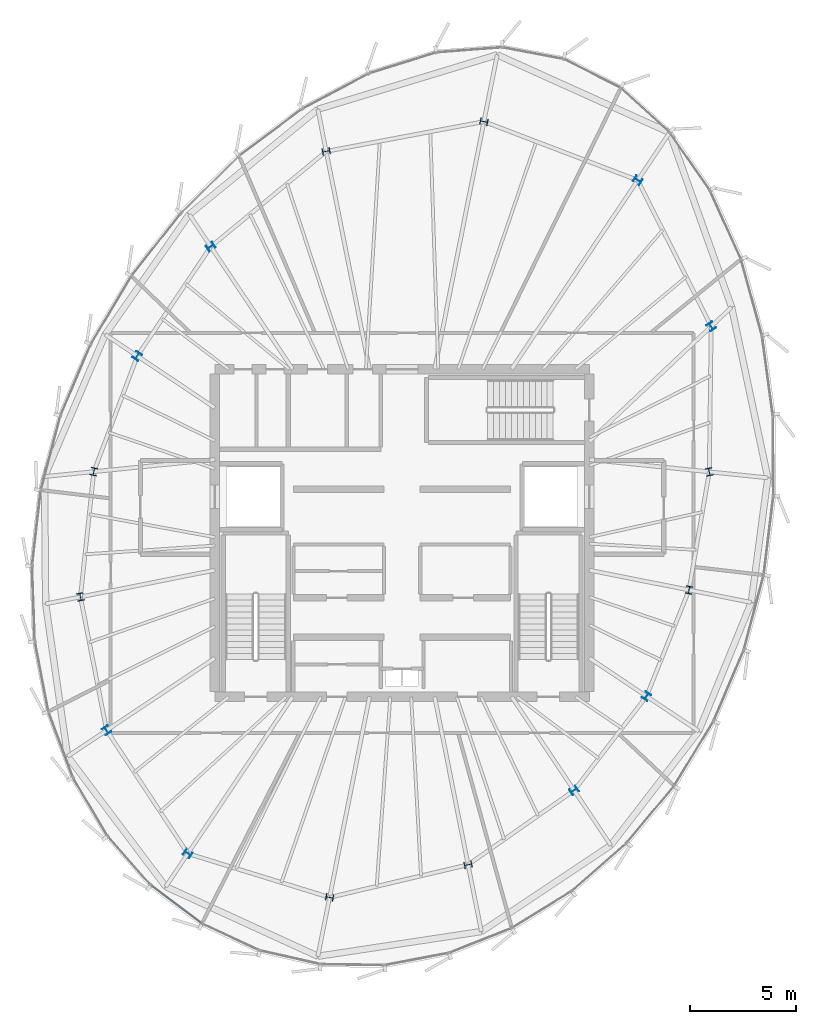
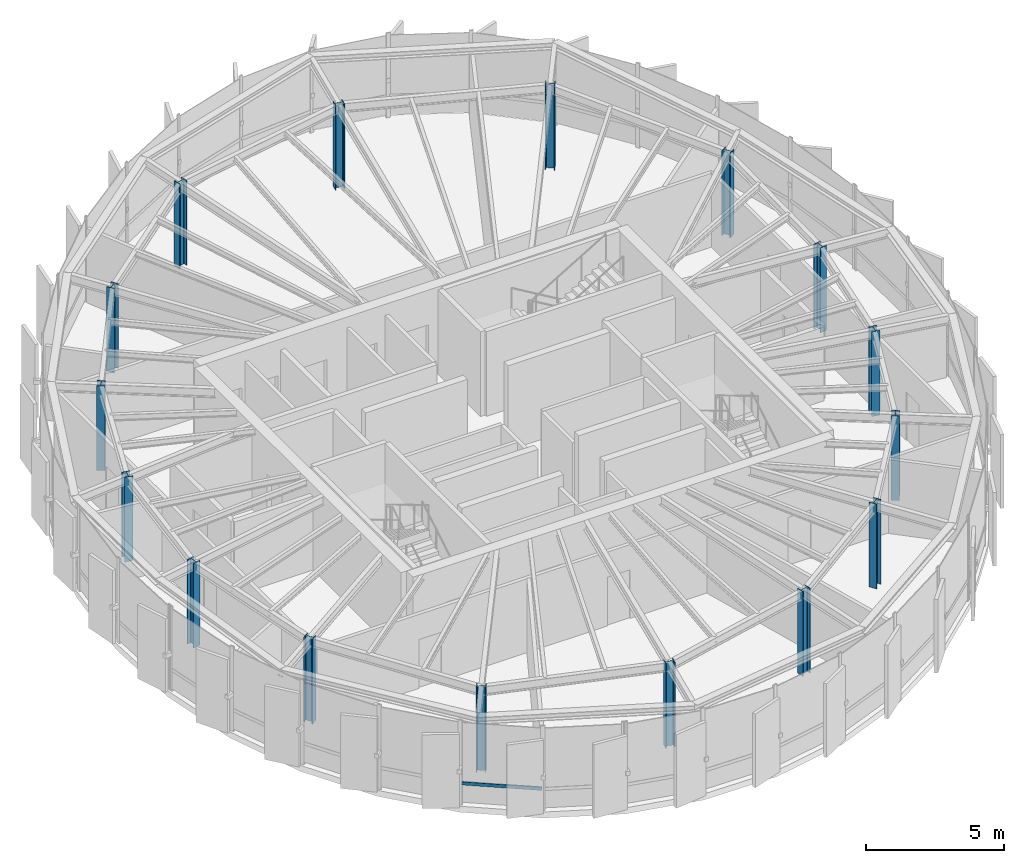
# One storey, part 1 of 26: 16 columns, 1 member, 1 element without a shape of its own.
"""IFC4 building model written with IfcOpenShell, lengths in metres."""

from ifc_helpers import new_model, si_unit, direction, frame, origin, origin_2d, place, context, subcontext, project, spatial, hollow_rectangle, i_section, extrude, source, transform, mapped, material, layer, layer_set, material_profile, profile_set, type_object, element, aggregate, save


model = new_model("IFC4")

# Units and contexts
model_context = context("Model", 3, precision=1e-05, world=origin(), true_north=direction((0.0, 1.0)))
body_context = subcontext(model_context, "Body", "Model", "MODEL_VIEW")
ifc_project = project(units=[si_unit("LENGTHUNIT", "METRE"), si_unit("AREAUNIT", "SQUARE_METRE"), si_unit("VOLUMEUNIT", "CUBIC_METRE"), si_unit("PLANEANGLEUNIT", "RADIAN"), si_unit("MASSUNIT", "GRAM", prefix="KILO"), si_unit("THERMODYNAMICTEMPERATUREUNIT", "KELVIN")], contexts=[model_context])

# Site, building, storey
site_placement = place(None, origin())
site = spatial("IfcSite", under=ifc_project, at=site_placement, CompositionType="ELEMENT")
building_placement = place(site_placement, origin())
building = spatial("IfcBuilding", under=site, at=building_placement, Name="Kethvar Cultural Tower", CompositionType="ELEMENT")
storey_placement = place(building_placement, frame((0.0, 0.0, 320.300048828125)))
storey = spatial("IfcBuildingStorey", under=building, at=storey_placement, Name="L85", CompositionType="ELEMENT", Elevation=320.300048828125)

# Columns
ifc_material_1 = material(Name="Steel S355J2", Category="steel")
ifc_material_profile_1 = material_profile(ifc_material_1, i_section(OverallWidth=0.30908203125, OverallDepth=0.35888671875, WebThickness=0.01611328125, FlangeThickness=0.02587890625, FilletRadius=0.027099609375, at=origin_2d()), Name="Steel S355J2 — HD320x245")
ifc_profile_set_1 = profile_set([ifc_material_profile_1], Name="Steel S355J2 — HD320x245")
column_type = type_object("IfcColumnType", Name="COL-HD245", PredefinedType="COLUMN", material=ifc_profile_set_1)
shared_shape_1 = source(origin(), body_context, "Body", "SweptSolid", [
    extrude(i_section(OverallWidth=0.30908203125, OverallDepth=0.35888671875, WebThickness=0.01611328125, FlangeThickness=0.02587890625, FilletRadius=0.027099609375, at=origin_2d()), origin(), (0.0, 0.0, 1.0), 3.73486328125),
])
for number, where, z_axis, x_axis, name in (
    (1, (61.237060546875, 30.671630859375, 0.0), (0.0, 0.0, 1.0), (0.980785280403, 0.195090322016, 0.0), "L85 Mega-Column MC-01"),
    (2, (61.32568359375, 37.505859375, 0.0), (0.0, 0.0, 1.0), (0.831469612303, 0.55557023302, 0.0), "L85 Mega-Column MC-02"),
    (3, (57.875244140625, 44.375, 0.0), (0.0, 0.0, 1.0), (0.55557023302, 0.831469612303, 0.0), "L85 Mega-Column MC-03"),
    (4, (50.645263671875, 47.131591796875, 0.0), (0.0, 0.0, 1.0), (0.195090322016, 0.980785280403, 0.0), "L85 Mega-Column MC-04"),
    (5, (43.23291015625, 45.732421875, 0.0), (0.0, 0.0, 1.0), (-0.195090322016, 0.980785280403, 0.0), "L85 Mega-Column MC-05"),
    (6, (37.8095703125, 41.255126953125, 0.0), (0.0, 0.0, 1.0), (-0.55557023302, 0.831469612303, 0.0), "L85 Mega-Column MC-06"),
    (7, (34.35595703125, 36.114990234375, 0.0), (0.0, 0.0, 1.0), (-0.831469612303, 0.55557023302, 0.0), "L85 Mega-Column MC-07"),
    (8, (32.3125, 30.681884765625, 0.0), (0.0, 0.0, 1.0), (-0.980785280403, 0.195090322016, 0.0), "L85 Mega-Column MC-08"),
    (9, (31.68310546875, 24.79296875, 0.0), (0.0, 0.0, 1.0), (-0.980785280403, -0.195090322016, 0.0), "L85 Mega-Column MC-09"),
    (10, (32.912841796875, 18.52099609375, 0.0), (0.0, 0.0, 1.0), (-0.831469612303, -0.55557023302, 0.0), "L85 Mega-Column MC-10"),
    (11, (36.731201171875, 12.73095703125, 0.0), (0.0, 0.0, 1.0), (-0.55557023302, -0.831469612303, 0.0), "L85 Mega-Column MC-11"),
    (12, (43.392822265625, 10.67138671875, 0.0), (0.0, 0.0, 1.0), (-0.195090322016, -0.980785280403, 0.0), "L85 Mega-Column MC-12"),
    (13, (49.901611328125, 12.206787109375, 0.0), (0.0, 0.0, 1.0), (0.195090322016, -0.980785280403, 0.0), "L85 Mega-Column MC-13"),
    (14, (54.885009765625, 15.7001953125, 0.0), (0.0, 0.0, 1.0), (0.55557023302, -0.831469612303, 0.0), "L85 Mega-Column MC-14"),
    (15, (58.287109375, 20.12451171875, 0.0), (0.0, 0.0, 1.0), (0.831469612303, -0.55557023302, 0.0), "L85 Mega-Column MC-15"),
    (16, (60.28369140625, 25.117919921875, 0.0), (0.0, 0.0, 1.0), (0.980785280403, -0.195090322016, 0.0), "L85 Mega-Column MC-16"),
):
    element("IfcColumn", number, at=place(storey_placement, frame(where, z_axis=z_axis, x_axis=x_axis)), inside=storey, type_object=column_type, Name=name, PredefinedType="COLUMN", context=body_context, shape_type="MappedRepresentation", body=[
        mapped(shared_shape_1, transform((0.0, 0.0, 0.0), scale=1.0)),
    ])

# Curtain wall, member
ifc_material_2 = material(Name="Aluminium 6063-T6", Category="aluminium")
ifc_layer = layer(ifc_material_2, 0.179931640625, Name="Aluminium 6063-T6", Category="aluminium")
ifc_layer_set = layer_set([ifc_layer], Name="Aluminium 6063-T6 (180 mm)")
curtain_wall_type = type_object("IfcCurtainWallType", Name="CW-SYS-06-CROWN", PredefinedType="NOTDEFINED", material=ifc_layer_set)
curtain_wall_placement = place(storey_placement, origin())
curtain_wall = element("IfcCurtainWall", 17, at=curtain_wall_placement, inside=storey, type_object=curtain_wall_type, Name="L85 Curtain Wall Run 03", PredefinedType="NOTDEFINED")
ifc_material_profile_2 = material_profile(ifc_material_2, hollow_rectangle(XDim=0.06005859375, YDim=0.139892578125, WallThickness=0.0048828125, at=origin_2d()), Name="Aluminium 6063-T6 — RHS140x60x5")
ifc_profile_set_2 = profile_set([ifc_material_profile_2], Name="Aluminium 6063-T6 — RHS140x60x5")
member_type = type_object("IfcMemberType", Name="CW-SYS-06-CROWN-TRN", PredefinedType="USERDEFINED", material=ifc_profile_set_2)
shared_shape_2 = source(origin(), body_context, "Body", "SweptSolid", [
    extrude(hollow_rectangle(XDim=0.06005859375, YDim=0.139892578125, WallThickness=0.0048828125, at=origin_2d()), origin(), (0.0, 0.0, 1.0), 2.9345703125),
])
member_placement = place(storey_placement, frame((35.0302734375, 11.221923828125, 0.949951171875), z_axis=(0.798610130569, -0.601848701379, 0.0), x_axis=(0.601848701379, 0.798610130569, 0.0)))
member = element("IfcMember", 18, at=member_placement, type_object=member_type, Name="CW-L85-R03 Transom 5", ObjectType="TRANSOM", PredefinedType="USERDEFINED", context=body_context, shape_type="MappedRepresentation", body=[
    mapped(shared_shape_2, transform((0.0, 0.0, 0.0), scale=1.0)),
])
aggregate(curtain_wall, [member])

save(model, "model.ifc")
